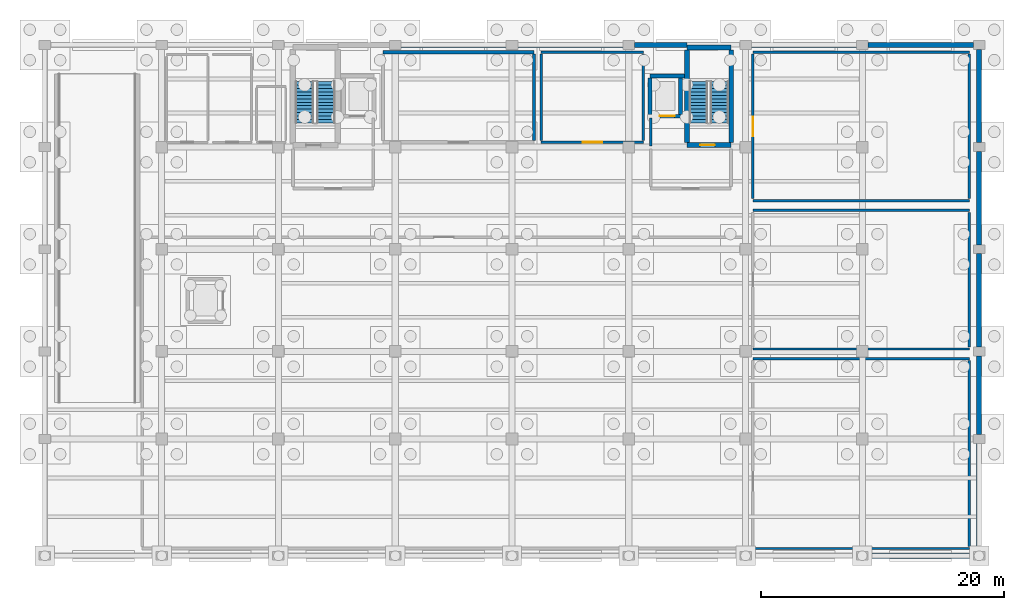
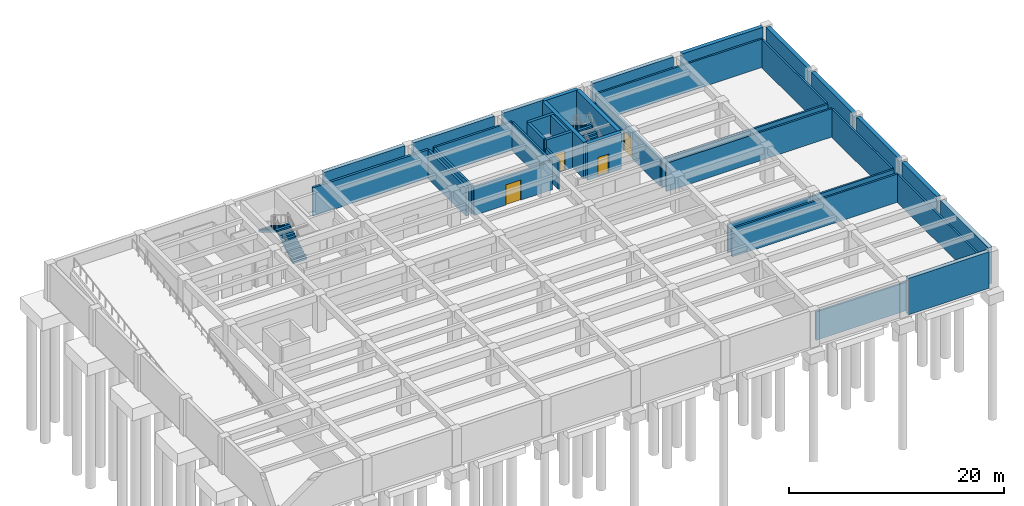
# One storey, part 5 of 8: 36 walls, 4 doors, 4 stair flights, 4 openings, 2 elements without a shape of their own.
"""IFC4 building model written with IfcOpenShell, lengths in metres."""

from ifc_helpers import new_model, si_unit, direction, frame, frame_2d, origin, place, context, subcontext, project, spatial, polyline, rectangle, outline, extrude, material, layer, layer_set, type_object, element, fill, aggregate, save


model = new_model("IFC4")

# Units and contexts
model_context = context("Model", 3, precision=1e-05, world=origin(), true_north=direction((0.0, 1.0)))
body_context = subcontext(model_context, "Body", "Model", "MODEL_VIEW")
ifc_project = project(units=[si_unit("LENGTHUNIT", "METRE"), si_unit("AREAUNIT", "SQUARE_METRE"), si_unit("VOLUMEUNIT", "CUBIC_METRE"), si_unit("PLANEANGLEUNIT", "RADIAN"), si_unit("MASSUNIT", "GRAM", prefix="KILO")], contexts=[model_context])

# Site, building, storey
site_placement = place(None, origin())
site = spatial("IfcSite", under=ifc_project, at=site_placement, CompositionType="ELEMENT")
building_placement = place(site_placement, origin())
building = spatial("IfcBuilding", under=site, at=building_placement, Name="Bempovik Park Faculty of Sciences", CompositionType="ELEMENT")
storey_placement = place(building_placement, frame((0.0, 0.0, -4.5)))
storey = spatial("IfcBuildingStorey", under=building, at=storey_placement, Name="B1", CompositionType="ELEMENT", Elevation=-4.5)

# Wall, opening, door
ifc_material_1 = material(Name="Concrete C40/50", Category="concrete")
ifc_layer_1 = layer(ifc_material_1, 0.300048828125)
ifc_layer_set_1 = layer_set([ifc_layer_1], Name="Concrete C40/50")
wall_type_1 = type_object("IfcWallType", Name="W-31 Wall 300mm", PredefinedType="SHEAR", material=ifc_layer_set_1)
wall_1_placement = place(storey_placement, frame((100.14990234375, 113.550048828125, 0.0), z_axis=(0.0, 0.0, 1.0), x_axis=(1.0, 0.0, 0.0)))
wall_1 = element("IfcWall", 1, at=wall_1_placement, inside=storey, type_object=wall_type_1, Name="Lift LF-2 B1 Shaft Wall South", PredefinedType="SHEAR", context=body_context, shape_type="SweptSolid", body=[
    extrude(rectangle(XDim=2.8251953125, YDim=0.300048828125, at=frame_2d((1.41259765625, 0.0))), origin(), (0.0, 0.0, 1.0), 4.139892578125),
])
opening_1_placement = place(wall_1_placement, frame((0.8125, 0.0, 0.0)))
opening_1 = element("IfcOpeningElement", 2, at=opening_1_placement, cuts=wall_1, Name="Opening LD-01", PredefinedType="OPENING", context=body_context, shape_type="SweptSolid", body=[
    extrude(rectangle(XDim=1.199951171875, YDim=2.199951171875, at=frame_2d((0.60009765625, 1.10009765625))), frame((0.0, 0.16015625, 0.0), z_axis=(0.0, -1.0, 0.0), x_axis=(1.0, 0.0, 0.0)), (0.0, 0.0, 1.0), 0.320068359375),
])
ifc_material_2 = material(Name="Painted steel S355", Category="steel")
door_type_1 = type_object("IfcDoorType", Name="LD-01 Door 1200x2200", OperationType="NOTDEFINED", PredefinedType="DOOR", material=ifc_material_2)
door_1_placement = place(opening_1_placement, origin())
door_1 = element("IfcDoor", 3, at=door_1_placement, inside=storey, type_object=door_type_1, Name="Lift LF-2 B1 Sliding Landing Door", OperationType="SLIDING_TO_LEFT", OverallHeight=2.199951171875, OverallWidth=1.199951171875, PredefinedType="DOOR", context=body_context, shape_type="SweptSolid", body=[
    extrude(rectangle(XDim=1.199951171875, YDim=2.199951171875, at=frame_2d((0.60009765625, 1.10009765625))), frame((0.0, 0.02490234375, 0.0), z_axis=(0.0, -1.0, 0.0), x_axis=(1.0, 0.0, 0.0)), (0.0, 0.0, 1.0), 0.050048828125),
])
fill(opening_1, door_1)

# Walls
wall_2_placement = place(storey_placement, frame((100.14990234375, 116.85009765625, 0.0), z_axis=(0.0, 0.0, 1.0), x_axis=(1.0, 0.0, 0.0)))
element("IfcWall", 4, at=wall_2_placement, inside=storey, type_object=wall_type_1, Name="Lift LF-2 B1 Shaft Wall North", PredefinedType="SHEAR", context=body_context, shape_type="SweptSolid", body=[
    extrude(rectangle(XDim=2.8251953125, YDim=0.300048828125, at=frame_2d((1.41259765625, 0.0))), origin(), (0.0, 0.0, 1.0), 4.139892578125),
])
for number, where, z_axis, x_axis, name in (
    (5, (100.14990234375, 113.699951171875, 0.0), (0.0, 0.0, 1.0), (0.0, 1.0, 0.0), "Lift LF-2 B1 Shaft Wall West"),
    (6, (102.64990234375, 113.699951171875, 0.0), (0.0, 0.0, 1.0), (0.0, 1.0, 0.0), "Lift LF-2 B1 Shaft Wall East"),
):
    element("IfcWall", number, at=place(storey_placement, frame(where, z_axis=z_axis, x_axis=x_axis)), inside=storey, type_object=wall_type_1, Name=name, PredefinedType="SHEAR", context=body_context, shape_type="SweptSolid", body=[
        extrude(rectangle(XDim=3.0, YDim=0.300048828125, at=frame_2d((1.5, 0.0))), origin(), (0.0, 0.0, 1.0), 4.139892578125),
    ])
ifc_material_3 = material(Name="Concrete C35/45", Category="concrete")
ifc_layer_2 = layer(ifc_material_3, 0.25)
ifc_layer_set_2 = layer_set([ifc_layer_2], Name="Concrete C35/45")
wall_type_2 = type_object("IfcWallType", Name="W-32 Wall 250mm", PredefinedType="PARTITIONING", material=ifc_layer_set_2)
wall_3_placement = place(storey_placement, frame((78.199951171875, 118.800048828125, 0.0), z_axis=(0.0, 0.0, 1.0), x_axis=(1.0, 0.0, 0.0)))
element("IfcWall", 7, at=wall_3_placement, inside=storey, type_object=wall_type_2, Name="B1 Standby Power and Switchgear Plant Room Partition North", PredefinedType="PARTITIONING", context=body_context, shape_type="SweptSolid", body=[
    extrude(rectangle(XDim=12.400146484375, YDim=0.25, at=frame_2d((6.2001953125, 0.0))), origin(), (0.0, 0.0, 1.0), 3.219970703125),
])
wall_4_placement = place(storey_placement, frame((90.60009765625, 111.56005859375, 0.0), z_axis=(0.0, 0.0, 1.0), x_axis=(0.0, 1.0, 0.0)))
element("IfcWall", 8, at=wall_4_placement, inside=storey, type_object=wall_type_2, Name="B1 Standby Power and Switchgear Plant Room Partition East", PredefinedType="PARTITIONING", context=body_context, shape_type="SweptSolid", body=[
    extrude(rectangle(XDim=7.079833984375, YDim=0.25, at=frame_2d((3.5400390625, 0.0))), origin(), (0.0, 0.0, 1.0), 3.219970703125),
])
ifc_layer_3 = layer(ifc_material_3, 0.219970703125)
ifc_layer_set_3 = layer_set([ifc_layer_3], Name="Concrete C35/45")
wall_type_3 = type_object("IfcWallType", Name="W-38 Wall 220mm", PredefinedType="PARTITIONING", material=ifc_layer_set_3)
wall_5_placement = place(storey_placement, frame((100.199951171875, 111.080078125, 0.0), z_axis=(0.0, 0.0, 1.0), x_axis=(0.0, 1.0, 0.0)))
element("IfcWall", 9, at=wall_5_placement, inside=storey, type_object=wall_type_3, Name="B1 Firefighting Lobby East Lift Link Wall", PredefinedType="PARTITIONING", context=body_context, shape_type="SweptSolid", body=[
    extrude(rectangle(XDim=2.31982421875, YDim=0.219970703125, at=frame_2d((1.159912109375, 0.0))), origin(), (0.0, 0.0, 1.0), 3.219970703125),
])

# Wall, opening, door
wall_6_placement = place(storey_placement, frame((91.199951171875, 111.39990234375, 0.0), z_axis=(0.0, 0.0, 1.0), x_axis=(1.0, 0.0, 0.0)))
wall_6 = element("IfcWall", 10, at=wall_6_placement, inside=storey, type_object=wall_type_3, Name="B1 Chiller and Fire Pump Plant Room Partition South", PredefinedType="PARTITIONING", context=body_context, shape_type="SweptSolid", body=[
    extrude(rectangle(XDim=8.400146484375, YDim=0.219970703125, at=frame_2d((4.2001953125, 0.0))), origin(), (0.0, 0.0, 1.0), 3.219970703125),
])
opening_2_placement = place(wall_6_placement, frame((3.39990234375, 0.0, 0.0)))
opening_2 = element("IfcOpeningElement", 11, at=opening_2_placement, cuts=wall_6, Name="Opening D-37", PredefinedType="OPENING", context=body_context, shape_type="SweptSolid", body=[
    extrude(rectangle(XDim=1.60009765625, YDim=2.300048828125, at=frame_2d((0.800048828125, 1.14990234375))), frame((0.0, 0.1201171875, 0.0), z_axis=(0.0, -1.0, 0.0), x_axis=(1.0, 0.0, 0.0)), (0.0, 0.0, 1.0), 0.239990234375),
])
door_type_2 = type_object("IfcDoorType", Name="D-37 Door 1600x2300", OperationType="NOTDEFINED", PredefinedType="DOOR", material=ifc_material_2)
door_2_placement = place(opening_2_placement, origin())
door_2 = element("IfcDoor", 12, at=door_2_placement, inside=storey, type_object=door_type_2, Name="B1 Chiller and Fire Pump Plant Room Door", OperationType="SINGLE_SWING_LEFT", OverallHeight=2.300048828125, OverallWidth=1.60009765625, PredefinedType="DOOR", context=body_context, shape_type="SweptSolid", body=[
    extrude(rectangle(XDim=1.60009765625, YDim=2.300048828125, at=frame_2d((0.800048828125, 1.14990234375))), frame((0.0, 0.02490234375, 0.0), z_axis=(0.0, -1.0, 0.0), x_axis=(1.0, 0.0, 0.0)), (0.0, 0.0, 1.0), 0.050048828125),
])
fill(opening_2, door_2)

# Walls
wall_7_placement = place(storey_placement, frame((91.199951171875, 118.800048828125, 0.0), z_axis=(0.0, 0.0, 1.0), x_axis=(1.0, 0.0, 0.0)))
element("IfcWall", 13, at=wall_7_placement, inside=storey, type_object=wall_type_3, Name="B1 Chiller and Fire Pump Plant Room Partition North", PredefinedType="PARTITIONING", context=body_context, shape_type="SweptSolid", body=[
    extrude(rectangle(XDim=8.400146484375, YDim=0.219970703125, at=frame_2d((4.2001953125, 0.0))), origin(), (0.0, 0.0, 1.0), 3.219970703125),
])
for number, where, z_axis, x_axis, name in (
    (14, (91.199951171875, 111.56005859375, 0.0), (0.0, 0.0, 1.0), (0.0, 1.0, 0.0), "B1 Chiller and Fire Pump Plant Room Partition West"),
    (15, (99.60009765625, 111.56005859375, 0.0), (0.0, 0.0, 1.0), (0.0, 1.0, 0.0), "B1 Chiller and Fire Pump Plant Room Partition East"),
):
    element("IfcWall", number, at=place(storey_placement, frame(where, z_axis=z_axis, x_axis=x_axis)), inside=storey, type_object=wall_type_3, Name=name, PredefinedType="PARTITIONING", context=body_context, shape_type="SweptSolid", body=[
        extrude(rectangle(XDim=7.079833984375, YDim=0.219970703125, at=frame_2d((3.5400390625, 0.0))), origin(), (0.0, 0.0, 1.0), 3.219970703125),
    ])

# Wall, opening, door
ifc_layer_4 = layer(ifc_material_1, 0.39990234375)
ifc_layer_set_4 = layer_set([ifc_layer_4], Name="Concrete C40/50")
wall_type_4 = type_object("IfcWallType", Name="W-47 Wall 400mm", PredefinedType="SHEAR", material=ifc_layer_set_4)
wall_8_placement = place(storey_placement, frame((103.175048828125, 111.175048828125, 0.0), z_axis=(0.0, 0.0, 1.0), x_axis=(1.0, 0.0, 0.0)))
wall_8 = element("IfcWall", 16, at=wall_8_placement, inside=storey, type_object=wall_type_4, Name="ST-2 B1 Core Shear Wall South", PredefinedType="SHEAR", context=body_context, shape_type="SweptSolid", body=[
    extrude(rectangle(XDim=3.64990234375, YDim=0.39990234375, at=frame_2d((1.824951171875, 0.0))), origin(), (0.0, 0.0, 1.0), 4.139892578125),
])
opening_3_placement = place(wall_8_placement, frame((1.10009765625, 0.0, 0.0)))
opening_3 = element("IfcOpeningElement", 17, at=opening_3_placement, cuts=wall_8, Name="Opening D-49", PredefinedType="OPENING", context=body_context, shape_type="SweptSolid", body=[
    extrude(rectangle(XDim=1.199951171875, YDim=2.199951171875, at=frame_2d((0.60009765625, 1.10009765625))), frame((0.0, 0.2099609375, 0.0), z_axis=(0.0, -1.0, 0.0), x_axis=(1.0, 0.0, 0.0)), (0.0, 0.0, 1.0), 0.419921875),
])
door_type_3 = type_object("IfcDoorType", Name="D-49 Door 1200x2200", OperationType="NOTDEFINED", PredefinedType="DOOR", material=ifc_material_2)
door_3_placement = place(opening_3_placement, origin())
door_3 = element("IfcDoor", 18, at=door_3_placement, inside=storey, type_object=door_type_3, Name="ST-2 B1 Protected Stair Smoke Door", OperationType="SINGLE_SWING_LEFT", OverallHeight=2.199951171875, OverallWidth=1.199951171875, PredefinedType="DOOR", context=body_context, shape_type="SweptSolid", body=[
    extrude(rectangle(XDim=1.199951171875, YDim=2.199951171875, at=frame_2d((0.60009765625, 1.10009765625))), frame((0.0, 0.02490234375, 0.0), z_axis=(0.0, -1.0, 0.0), x_axis=(1.0, 0.0, 0.0)), (0.0, 0.0, 1.0), 0.050048828125),
])
fill(opening_3, door_3)

# Walls
for number, where, z_axis, x_axis, name in (
    (19, (103.175048828125, 111.375, 0.0), (0.0, 0.0, 1.0), (0.0, 1.0, 0.0), "ST-2 B1 Core Shear Wall West"),
    (20, (106.824951171875, 111.375, 0.0), (0.0, 0.0, 1.0), (0.0, 1.0, 0.0), "ST-2 B1 Core Shear Wall East"),
):
    element("IfcWall", number, at=place(storey_placement, frame(where, z_axis=z_axis, x_axis=x_axis)), inside=storey, type_object=wall_type_4, Name=name, PredefinedType="SHEAR", context=body_context, shape_type="SweptSolid", body=[
        extrude(rectangle(XDim=7.625, YDim=0.39990234375, at=frame_2d((3.8125, 0.0))), origin(), (0.0, 0.0, 1.0), 4.139892578125),
    ])
wall_9_placement = place(storey_placement, frame((103.175048828125, 119.199951171875, 0.0), z_axis=(0.0, 0.0, 1.0), x_axis=(1.0, 0.0, 0.0)))
element("IfcWall", 21, at=wall_9_placement, inside=storey, type_object=wall_type_4, Name="ST-2 B1 Core Shear Wall North", PredefinedType="SHEAR", context=body_context, shape_type="SweptSolid", body=[
    extrude(rectangle(XDim=3.64990234375, YDim=0.39990234375, at=frame_2d((1.824951171875, 0.0))), origin(), (0.0, 0.0, 1.0), 4.139892578125),
])
ifc_layer_5 = layer(ifc_material_3, 0.199951171875)
ifc_layer_set_5 = layer_set([ifc_layer_5], Name="Concrete C35/45")
wall_type_5 = type_object("IfcWallType", Name="W-59 Wall 200mm", PredefinedType="PARTITIONING", material=ifc_layer_set_5)
for number, where, z_axis, x_axis, name in (
    (22, (108.60009765625, 78.0, 0.0), (0.0, 0.0, 1.0), (1.0, 0.0, 0.0), "B1 Heavy Vibration-Isolated Optics Laboratory Partition South"),
    (23, (108.60009765625, 93.60009765625, 0.0), (0.0, 0.0, 1.0), (1.0, 0.0, 0.0), "B1 Heavy Vibration-Isolated Optics Laboratory Partition North"),
):
    element("IfcWall", number, at=place(storey_placement, frame(where, z_axis=z_axis, x_axis=x_axis)), inside=storey, type_object=wall_type_5, Name=name, PredefinedType="PARTITIONING", context=body_context, shape_type="SweptSolid", body=[
        extrude(rectangle(XDim=17.7998046875, YDim=0.199951171875, at=frame_2d((8.89990234375, 0.0))), origin(), (0.0, 0.0, 1.0), 3.219970703125),
    ])
wall_10_placement = place(storey_placement, frame((126.39990234375, 78.159912109375, 0.0), z_axis=(0.0, 0.0, 1.0), x_axis=(0.0, 1.0, 0.0)))
element("IfcWall", 24, at=wall_10_placement, inside=storey, type_object=wall_type_5, Name="B1 Heavy Vibration-Isolated Optics Laboratory Partition East", PredefinedType="PARTITIONING", context=body_context, shape_type="SweptSolid", body=[
    extrude(rectangle(XDim=15.280029296875, YDim=0.199951171875, at=frame_2d((7.64013671875, 0.0))), origin(), (0.0, 0.0, 1.0), 3.219970703125),
])
for number, where, z_axis, x_axis, name in (
    (25, (108.60009765625, 94.39990234375, 0.0), (0.0, 0.0, 1.0), (1.0, 0.0, 0.0), "B1 Geological Specimen Cold Store Partition South"),
    (26, (108.60009765625, 105.800048828125, 0.0), (0.0, 0.0, 1.0), (1.0, 0.0, 0.0), "B1 Geological Specimen Cold Store Partition North"),
):
    element("IfcWall", number, at=place(storey_placement, frame(where, z_axis=z_axis, x_axis=x_axis)), inside=storey, type_object=wall_type_5, Name=name, PredefinedType="PARTITIONING", context=body_context, shape_type="SweptSolid", body=[
        extrude(rectangle(XDim=17.7998046875, YDim=0.199951171875, at=frame_2d((8.89990234375, 0.0))), origin(), (0.0, 0.0, 1.0), 3.219970703125),
    ])
wall_11_placement = place(storey_placement, frame((126.39990234375, 94.56005859375, 0.0), z_axis=(0.0, 0.0, 1.0), x_axis=(0.0, 1.0, 0.0)))
element("IfcWall", 27, at=wall_11_placement, inside=storey, type_object=wall_type_5, Name="B1 Geological Specimen Cold Store Partition East", PredefinedType="PARTITIONING", context=body_context, shape_type="SweptSolid", body=[
    extrude(rectangle(XDim=11.079833984375, YDim=0.199951171875, at=frame_2d((5.5400390625, 0.0))), origin(), (0.0, 0.0, 1.0), 3.219970703125),
])
for number, where, z_axis, x_axis, name in (
    (28, (108.60009765625, 106.60009765625, 0.0), (0.0, 0.0, 1.0), (1.0, 0.0, 0.0), "B1 Laboratory Gas and Equipment Store Partition South"),
    (29, (108.60009765625, 118.800048828125, 0.0), (0.0, 0.0, 1.0), (1.0, 0.0, 0.0), "B1 Laboratory Gas and Equipment Store Partition North"),
):
    element("IfcWall", number, at=place(storey_placement, frame(where, z_axis=z_axis, x_axis=x_axis)), inside=storey, type_object=wall_type_5, Name=name, PredefinedType="PARTITIONING", context=body_context, shape_type="SweptSolid", body=[
        extrude(rectangle(XDim=17.7998046875, YDim=0.199951171875, at=frame_2d((8.89990234375, 0.0))), origin(), (0.0, 0.0, 1.0), 3.219970703125),
    ])

# Wall, opening, door
wall_12_placement = place(storey_placement, frame((108.60009765625, 106.760009765625, 0.0), z_axis=(0.0, 0.0, 1.0), x_axis=(0.0, 1.0, 0.0)))
wall_12 = element("IfcWall", 30, at=wall_12_placement, inside=storey, type_object=wall_type_5, Name="B1 Laboratory Gas and Equipment Store Partition West", PredefinedType="PARTITIONING", context=body_context, shape_type="SweptSolid", body=[
    extrude(rectangle(XDim=11.8798828125, YDim=0.199951171875, at=frame_2d((5.93994140625, 0.0))), origin(), (0.0, 0.0, 1.0), 3.219970703125),
])
opening_4_placement = place(wall_12_placement, frame((5.139892578125, 0.0, 0.0)))
opening_4 = element("IfcOpeningElement", 31, at=opening_4_placement, cuts=wall_12, Name="Opening D-37", PredefinedType="OPENING", context=body_context, shape_type="SweptSolid", body=[
    extrude(rectangle(XDim=1.60009765625, YDim=2.300048828125, at=frame_2d((0.800048828125, 1.14990234375))), frame((0.0, 0.10986328125, 0.0), z_axis=(0.0, -1.0, 0.0), x_axis=(1.0, 0.0, 0.0)), (0.0, 0.0, 1.0), 0.219970703125),
])
door_4_placement = place(opening_4_placement, origin())
door_4 = element("IfcDoor", 32, at=door_4_placement, inside=storey, type_object=door_type_2, Name="B1 Laboratory Gas and Equipment Store Door", OperationType="SINGLE_SWING_RIGHT", OverallHeight=2.300048828125, OverallWidth=1.60009765625, PredefinedType="DOOR", context=body_context, shape_type="SweptSolid", body=[
    extrude(rectangle(XDim=1.60009765625, YDim=2.300048828125, at=frame_2d((0.800048828125, 1.14990234375))), frame((0.0, 0.02490234375, 0.0), z_axis=(0.0, -1.0, 0.0), x_axis=(1.0, 0.0, 0.0)), (0.0, 0.0, 1.0), 0.050048828125),
])
fill(opening_4, door_4)

# Walls
wall_13_placement = place(storey_placement, frame((126.39990234375, 106.760009765625, 0.0), z_axis=(0.0, 0.0, 1.0), x_axis=(0.0, 1.0, 0.0)))
element("IfcWall", 33, at=wall_13_placement, inside=storey, type_object=wall_type_5, Name="B1 Laboratory Gas and Equipment Store Partition East", PredefinedType="PARTITIONING", context=body_context, shape_type="SweptSolid", body=[
    extrude(rectangle(XDim=11.8798828125, YDim=0.199951171875, at=frame_2d((5.93994140625, 0.0))), origin(), (0.0, 0.0, 1.0), 3.219970703125),
])
ifc_layer_6 = layer(ifc_material_3, 0.419921875)
ifc_layer_set_6 = layer_set([ifc_layer_6], Name="Concrete C35/45")
wall_type_6 = type_object("IfcWallType", Name="W-62 Wall 420mm", PredefinedType="SOLIDWALL", material=ifc_layer_set_6)
wall_14_placement = place(storey_placement, frame((127.199951171875, 77.761962890625, 0.0), z_axis=(0.0, 0.0, 1.0), x_axis=(0.0, 1.0, 0.0)))
element("IfcWall", 34, at=wall_14_placement, inside=storey, type_object=wall_type_6, Name="Basement Waterproof Retaining Wall RW-B1-5631", PredefinedType="SOLIDWALL", context=body_context, shape_type="SweptSolid", body=[
    extrude(rectangle(XDim=8.8759765625, YDim=0.419921875, at=frame_2d((4.43798828125, 0.0))), origin(), (0.0, 0.0, 1.0), 4.135009765625),
])
wall_15_placement = place(storey_placement, frame((127.199951171875, 87.362060546875, 0.0), z_axis=(0.0, 0.0, 1.0), x_axis=(0.0, 1.0, 0.0)))
element("IfcWall", 35, at=wall_15_placement, inside=storey, type_object=wall_type_6, Name="Basement Waterproof Retaining Wall RW-B1-5632", PredefinedType="SOLIDWALL", context=body_context, shape_type="SweptSolid", body=[
    extrude(rectangle(XDim=6.475830078125, YDim=0.419921875, at=frame_2d((3.23779296875, 0.0))), origin(), (0.0, 0.0, 1.0), 4.135009765625),
])
for number, where, z_axis, x_axis, name in (
    (36, (127.199951171875, 94.56201171875, 0.0), (0.0, 0.0, 1.0), (0.0, 1.0, 0.0), "Basement Waterproof Retaining Wall RW-B1-5633"),
    (37, (127.199951171875, 102.9619140625, 0.0), (0.0, 0.0, 1.0), (0.0, 1.0, 0.0), "Basement Waterproof Retaining Wall RW-B1-5634"),
    (38, (127.199951171875, 111.362060546875, 0.0), (0.0, 0.0, 1.0), (0.0, 1.0, 0.0), "Basement Waterproof Retaining Wall RW-B1-5635"),
):
    element("IfcWall", number, at=place(storey_placement, frame(where, z_axis=z_axis, x_axis=x_axis)), inside=storey, type_object=wall_type_6, Name=name, PredefinedType="SOLIDWALL", context=body_context, shape_type="SweptSolid", body=[
        extrude(rectangle(XDim=7.676025390625, YDim=0.419921875, at=frame_2d((3.837890625, 0.0))), origin(), (0.0, 0.0, 1.0), 4.135009765625),
    ])
for number, where, z_axis, x_axis, name in (
    (39, (79.677001953125, 119.39990234375, 0.0), (0.0, 0.0, 1.0), (1.0, 0.0, 0.0), "Basement Waterproof Retaining Wall RW-B1-5639"),
    (40, (89.277099609375, 119.39990234375, 0.0), (0.0, 0.0, 1.0), (1.0, 0.0, 0.0), "Basement Waterproof Retaining Wall RW-B1-5640"),
):
    element("IfcWall", number, at=place(storey_placement, frame(where, z_axis=z_axis, x_axis=x_axis)), inside=storey, type_object=wall_type_6, Name=name, PredefinedType="SOLIDWALL", context=body_context, shape_type="SweptSolid", body=[
        extrude(rectangle(XDim=8.64599609375, YDim=0.419921875, at=frame_2d((4.322998046875, 0.0))), origin(), (0.0, 0.0, 1.0), 4.135009765625),
    ])
wall_16_placement = place(storey_placement, frame((98.876953125, 119.39990234375, 0.0), z_axis=(0.0, 0.0, 1.0), x_axis=(1.0, 0.0, 0.0)))
element("IfcWall", 41, at=wall_16_placement, inside=storey, type_object=wall_type_6, Name="Basement Waterproof Retaining Wall RW-B1-5641", PredefinedType="SOLIDWALL", context=body_context, shape_type="SweptSolid", body=[
    extrude(rectangle(XDim=4.297119140625, YDim=0.419921875, at=frame_2d((2.1484375, 0.0))), origin(), (0.0, 0.0, 1.0), 4.135009765625),
])
for number, where, z_axis, x_axis, name in (
    (42, (108.47705078125, 119.39990234375, 0.0), (0.0, 0.0, 1.0), (1.0, 0.0, 0.0), "Basement Waterproof Retaining Wall RW-B1-5642"),
    (43, (118.076904296875, 119.39990234375, 0.0), (0.0, 0.0, 1.0), (1.0, 0.0, 0.0), "Basement Waterproof Retaining Wall RW-B1-5643"),
    (44, (118.076904296875, 77.39990234375, 0.0), (0.0, 0.0, 1.0), (1.0, 0.0, 0.0), "Basement Waterproof Retaining Wall RW-B1-5656"),
):
    element("IfcWall", number, at=place(storey_placement, frame(where, z_axis=z_axis, x_axis=x_axis)), inside=storey, type_object=wall_type_6, Name=name, PredefinedType="SOLIDWALL", context=body_context, shape_type="SweptSolid", body=[
        extrude(rectangle(XDim=8.64599609375, YDim=0.419921875, at=frame_2d((4.322998046875, 0.0))), origin(), (0.0, 0.0, 1.0), 4.135009765625),
    ])

# Stair, stair flights
stair_type = type_object("IfcStairType", Name="ST-12 Stair W1500 H4500", PredefinedType="HALF_TURN_STAIR", material=ifc_material_3)
stair_1_placement = place(storey_placement, origin())
stair_1 = element("IfcStair", 45, at=stair_1_placement, inside=storey, type_object=stair_type, Name="B1 ST-1 Dog-Leg Exit Stair", PredefinedType="HALF_TURN_STAIR")
stair_flight_type = type_object("IfcStairFlightType", Name="FL-23 Flight W1500 H4500", PredefinedType="STRAIGHT", material=ifc_material_3)
stair_flight_1_placement = place(storey_placement, frame((73.5, 113.0, 0.0), z_axis=(0.0, 0.0, 1.0), x_axis=(0.0, 1.0, 0.0)))
stair_flight_1 = element("IfcStairFlight", 46, at=stair_flight_1_placement, type_object=stair_flight_type, Name="ST-12 flight 1", NumberOfRisers=13, NumberOfTreads=12, PredefinedType="STRAIGHT", RiserHeight=0.173076923, TreadLength=0.28125, context=body_context, shape_type="SweptSolid", body=[
    extrude(outline(polyline([(0.0, 0.0), (0.0, 0.173095703125), (0.28125, 0.173095703125), (0.28125, 0.34619140625), (0.5625, 0.34619140625), (0.5625, 0.519287109375), (0.84375, 0.519287109375), (0.84375, 0.6923828125), (1.125, 0.6923828125), (1.125, 0.865478515625), (1.40625, 0.865478515625), (1.40625, 1.03857421875), (1.6875, 1.03857421875), (1.6875, 1.21142578125), (1.96875, 1.21142578125), (1.96875, 1.384521484375), (2.25, 1.384521484375), (2.25, 1.5576171875), (2.53125, 1.5576171875), (2.53125, 1.730712890625), (2.8125, 1.730712890625), (2.8125, 1.90380859375), (3.09375, 1.90380859375), (3.09375, 2.076904296875), (3.375, 2.076904296875), (3.375, 2.25), (3.375, 1.90087890625), (0.2861328125, 0.0), (0.0625, -0.0625), (0.0, -0.0625), (0.0, 0.0)])), frame((0.0, 0.75, 0.0), z_axis=(0.0, -1.0, 0.0), x_axis=(1.0, 0.0, 0.0)), (0.0, 0.0, 1.0), 1.5),
])
stair_flight_2_placement = place(storey_placement, frame((71.75, 116.375, 2.25), z_axis=(0.0, 0.0, 1.0), x_axis=(0.0, -1.0, 0.0)))
stair_flight_2 = element("IfcStairFlight", 47, at=stair_flight_2_placement, type_object=stair_flight_type, Name="ST-12 flight 2", NumberOfRisers=13, NumberOfTreads=12, PredefinedType="STRAIGHT", RiserHeight=0.173076923, TreadLength=0.28125, context=body_context, shape_type="SweptSolid", body=[
    extrude(outline(polyline([(0.0, 0.0), (0.0, 0.173095703125), (0.28125, 0.173095703125), (0.28125, 0.34619140625), (0.5625, 0.34619140625), (0.5625, 0.519287109375), (0.84375, 0.519287109375), (0.84375, 0.6923828125), (1.125, 0.6923828125), (1.125, 0.865478515625), (1.40625, 0.865478515625), (1.40625, 1.03857421875), (1.6875, 1.03857421875), (1.6875, 1.21142578125), (1.96875, 1.21142578125), (1.96875, 1.384521484375), (2.25, 1.384521484375), (2.25, 1.5576171875), (2.53125, 1.5576171875), (2.53125, 1.730712890625), (2.8125, 1.730712890625), (2.8125, 1.90380859375), (3.09375, 1.90380859375), (3.09375, 2.076904296875), (3.375, 2.076904296875), (3.375, 2.25), (3.375, 1.90087890625), (0.2861328125, 0.0), (0.0625, -0.0625), (0.0, -0.0625), (0.0, 0.0)])), frame((0.0, 0.75, 0.0), z_axis=(0.0, -1.0, 0.0), x_axis=(1.0, 0.0, 0.0)), (0.0, 0.0, 1.0), 1.5),
])
aggregate(stair_1, [stair_flight_1, stair_flight_2])

stair_2_placement = place(storey_placement, origin())
stair_2 = element("IfcStair", 48, at=stair_2_placement, inside=storey, type_object=stair_type, Name="B1 ST-2 Dog-Leg Exit Stair", PredefinedType="HALF_TURN_STAIR")
stair_flight_3_placement = place(storey_placement, frame((105.875, 113.0, 0.0), z_axis=(0.0, 0.0, 1.0), x_axis=(0.0, 1.0, 0.0)))
stair_flight_3 = element("IfcStairFlight", 49, at=stair_flight_3_placement, type_object=stair_flight_type, Name="ST-12 flight 1", NumberOfRisers=13, NumberOfTreads=12, PredefinedType="STRAIGHT", RiserHeight=0.173076923, TreadLength=0.28125, context=body_context, shape_type="SweptSolid", body=[
    extrude(outline(polyline([(0.0, 0.0), (0.0, 0.173095703125), (0.28125, 0.173095703125), (0.28125, 0.34619140625), (0.5625, 0.34619140625), (0.5625, 0.519287109375), (0.84375, 0.519287109375), (0.84375, 0.6923828125), (1.125, 0.6923828125), (1.125, 0.865478515625), (1.40625, 0.865478515625), (1.40625, 1.03857421875), (1.6875, 1.03857421875), (1.6875, 1.21142578125), (1.96875, 1.21142578125), (1.96875, 1.384521484375), (2.25, 1.384521484375), (2.25, 1.5576171875), (2.53125, 1.5576171875), (2.53125, 1.730712890625), (2.8125, 1.730712890625), (2.8125, 1.90380859375), (3.09375, 1.90380859375), (3.09375, 2.076904296875), (3.375, 2.076904296875), (3.375, 2.25), (3.375, 1.90087890625), (0.2861328125, 0.0), (0.0625, -0.0625), (0.0, -0.0625), (0.0, 0.0)])), frame((0.0, 0.75, 0.0), z_axis=(0.0, -1.0, 0.0), x_axis=(1.0, 0.0, 0.0)), (0.0, 0.0, 1.0), 1.5),
])
stair_flight_4_placement = place(storey_placement, frame((104.125, 116.375, 2.25), z_axis=(0.0, 0.0, 1.0), x_axis=(0.0, -1.0, 0.0)))
stair_flight_4 = element("IfcStairFlight", 50, at=stair_flight_4_placement, type_object=stair_flight_type, Name="ST-12 flight 2", NumberOfRisers=13, NumberOfTreads=12, PredefinedType="STRAIGHT", RiserHeight=0.173076923, TreadLength=0.28125, context=body_context, shape_type="SweptSolid", body=[
    extrude(outline(polyline([(0.0, 0.0), (0.0, 0.173095703125), (0.28125, 0.173095703125), (0.28125, 0.34619140625), (0.5625, 0.34619140625), (0.5625, 0.519287109375), (0.84375, 0.519287109375), (0.84375, 0.6923828125), (1.125, 0.6923828125), (1.125, 0.865478515625), (1.40625, 0.865478515625), (1.40625, 1.03857421875), (1.6875, 1.03857421875), (1.6875, 1.21142578125), (1.96875, 1.21142578125), (1.96875, 1.384521484375), (2.25, 1.384521484375), (2.25, 1.5576171875), (2.53125, 1.5576171875), (2.53125, 1.730712890625), (2.8125, 1.730712890625), (2.8125, 1.90380859375), (3.09375, 1.90380859375), (3.09375, 2.076904296875), (3.375, 2.076904296875), (3.375, 2.25), (3.375, 1.90087890625), (0.2861328125, 0.0), (0.0625, -0.0625), (0.0, -0.0625), (0.0, 0.0)])), frame((0.0, 0.75, 0.0), z_axis=(0.0, -1.0, 0.0), x_axis=(1.0, 0.0, 0.0)), (0.0, 0.0, 1.0), 1.5),
])
aggregate(stair_2, [stair_flight_3, stair_flight_4])

save(model, "model.ifc")
